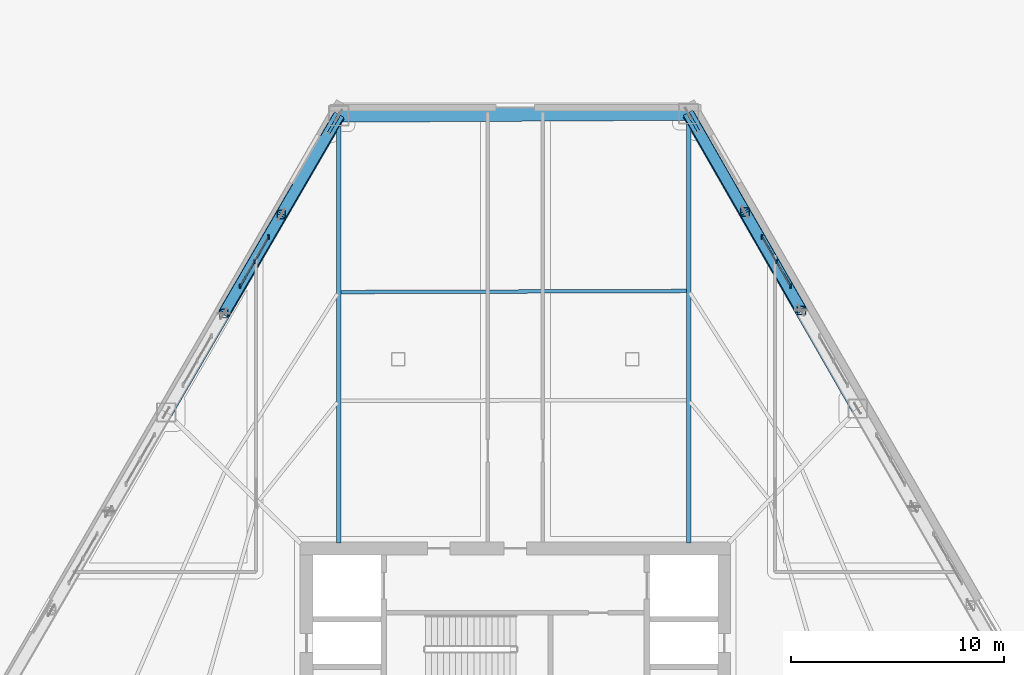
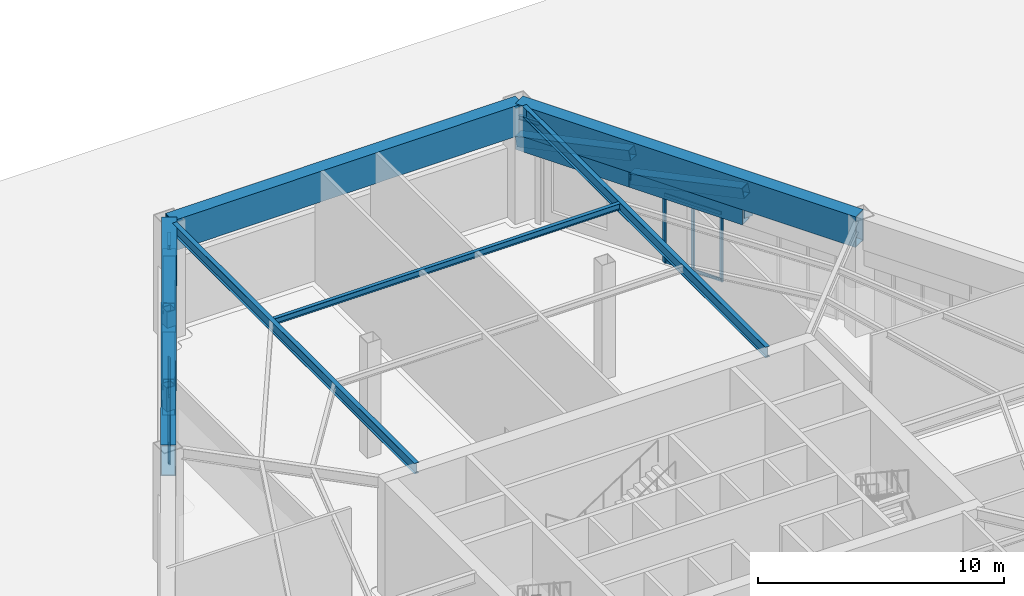
# One storey, part 8 of 20: 18 members, 12 beams, 2 elements without a shape of their own.
"""IFC4 building model written with IfcOpenShell, lengths in metres."""

from ifc_helpers import new_model, si_unit, direction, frame, origin, origin_2d, place, context, subcontext, project, spatial, rectangle, hollow_rectangle, i_section, extrude, material, layer, layer_set, material_profile, profile_set, type_object, element, aggregate, save


model = new_model("IFC4")

# Units and contexts
model_context = context("Model", 3, precision=1e-05, world=origin(), true_north=direction((0.0, 1.0)))
body_context = subcontext(model_context, "Body", "Model", "MODEL_VIEW")
ifc_project = project(units=[si_unit("LENGTHUNIT", "METRE"), si_unit("AREAUNIT", "SQUARE_METRE"), si_unit("VOLUMEUNIT", "CUBIC_METRE"), si_unit("PLANEANGLEUNIT", "RADIAN"), si_unit("MASSUNIT", "GRAM", prefix="KILO")], contexts=[model_context])

# Site, building, storey
site_placement = place(None, origin())
site = spatial("IfcSite", under=ifc_project, at=site_placement, CompositionType="ELEMENT")
building_placement = place(site_placement, origin())
building = spatial("IfcBuilding", under=site, at=building_placement, Name="Kavelnor Concourse Tower", CompositionType="ELEMENT")
storey_placement = place(building_placement, origin())
storey = spatial("IfcBuildingStorey", under=building, at=storey_placement, Name="L00", CompositionType="ELEMENT", Elevation=0.0)

# Beams
ifc_material_1 = material(Name="Steel Grade 350", Category="steel")
ifc_material_profile_1 = material_profile(ifc_material_1, i_section(OverallWidth=0.166015625, OverallDepth=0.306884765625, WebThickness=0.006591796875, FlangeThickness=0.01171875, at=origin_2d()), Name="310UB46")
ifc_profile_set_1 = profile_set([ifc_material_profile_1], Name="Steel Grade 350")
beam_type_1 = type_object("IfcBeamType", Name="BM-JOIST-310", PredefinedType="JOIST", material=ifc_profile_set_1)
beam_1_placement = place(storey_placement, frame((46.046875, 35.005859375, 5.58642578125), z_axis=(-0.999994639343, -0.003274337339, 0.0), x_axis=(0.003274337339, -0.999994639343, 0.0)))
element("IfcBeam", 1, at=beam_1_placement, inside=storey, type_object=beam_type_1, Name="L00 Composite Floor Joist 07-2", PredefinedType="JOIST", context=body_context, shape_type="SweptSolid", body=[
    extrude(i_section(OverallWidth=0.166015625, OverallDepth=0.306884765625, WebThickness=0.006591796875, FlangeThickness=0.01171875, at=origin_2d()), origin(), (0.0, 0.0, 1.0), 16.25439453125),
])
ifc_material_profile_2 = material_profile(ifc_material_1, i_section(OverallWidth=0.134033203125, OverallDepth=0.20703125, WebThickness=0.00634765625, FlangeThickness=0.009521484375, at=origin_2d()), Name="200UB29")
ifc_profile_set_2 = profile_set([ifc_material_profile_2], Name="Steel Grade 350")
beam_type_2 = type_object("IfcBeamType", Name="BM-LINTEL-200", PredefinedType="LINTEL", material=ifc_profile_set_2)
for number, where, z_axis, x_axis, name in (
    (2, (29.694580078125, 43.248779296875, 4.89990234375), (-0.502464100164, -0.864598073122, 0.0), (0.864598073122, -0.502464100164, 0.0), "L00 Pier Stiffener Header Lintel F0-A"),
    (3, (46.144775390625, 43.338623046875, 4.89990234375), (0.49757753053, -0.867419506993, 0.0), (0.867419506993, 0.49757753053, 0.0), "L00 Pier Stiffener Header Lintel F2-B"),
):
    element("IfcBeam", number, at=place(storey_placement, frame(where, z_axis=z_axis, x_axis=x_axis)), inside=storey, type_object=beam_type_2, Name=name, PredefinedType="LINTEL", context=body_context, shape_type="SweptSolid", body=[
        extrude(i_section(OverallWidth=0.134033203125, OverallDepth=0.20703125, WebThickness=0.00634765625, FlangeThickness=0.009521484375, at=origin_2d()), origin(), (0.0, 0.0, 1.0), 0.949951171875),
    ])
ifc_material_profile_3 = material_profile(ifc_material_1, i_section(OverallWidth=0.208984375, OverallDepth=0.528076171875, WebThickness=0.009521484375, FlangeThickness=0.01318359375, at=origin_2d()), Name="530UB82")
ifc_profile_set_3 = profile_set([ifc_material_profile_3], Name="Steel Grade 350")
beam_type_3 = type_object("IfcBeamType", Name="BM-PRIMARY-530", PredefinedType="BEAM", material=ifc_profile_set_3)
beam_2_placement = place(storey_placement, frame((46.144775390625, 23.159912109375, 5.47607421875), z_axis=(0.0, 1.0, 0.0), x_axis=(-1.0, 0.0, 0.0)))
element("IfcBeam", 4, at=beam_2_placement, inside=storey, type_object=beam_type_3, Name="L00 Primary Floor Girder MC-V0", PredefinedType="BEAM", context=body_context, shape_type="SweptSolid", body=[
    extrude(i_section(OverallWidth=0.208984375, OverallDepth=0.528076171875, WebThickness=0.009521484375, FlangeThickness=0.01318359375, at=origin_2d()), origin(), (0.0, 0.0, 1.0), 19.74365234375),
])
beam_3_placement = place(storey_placement, frame((29.694580078125, 23.159912109375, 5.47607421875), z_axis=(0.0, 1.0, 0.0), x_axis=(-1.0, 0.0, 0.0)))
element("IfcBeam", 5, at=beam_3_placement, inside=storey, type_object=beam_type_3, Name="L00 Primary Floor Girder MC-V1", PredefinedType="BEAM", context=body_context, shape_type="SweptSolid", body=[
    extrude(i_section(OverallWidth=0.208984375, OverallDepth=0.528076171875, WebThickness=0.009521484375, FlangeThickness=0.01318359375, at=origin_2d()), origin(), (0.0, 0.0, 1.0), 19.654052734375),
])
ifc_material_profile_4 = material_profile(ifc_material_1, hollow_rectangle(XDim=0.550048828125, YDim=0.75, WallThickness=0.034912109375, at=origin_2d()), Name="RHS 750x550x35")
ifc_profile_set_4 = profile_set([ifc_material_profile_4], Name="Steel Grade 350")
beam_type_4 = type_object("IfcBeamType", Name="BM-XFER-CHORD-750", PredefinedType="BEAM", material=ifc_profile_set_4)
beam_4_placement = place(storey_placement, frame((29.694580078125, 43.248779296875, 3.81494140625), z_axis=(-0.50235775979, -0.864659864443, 0.0), x_axis=(0.864659864443, -0.50235775979, 0.0)))
element("IfcBeam", 6, at=beam_4_placement, inside=storey, type_object=beam_type_4, Name="L00 Concourse Transfer Truss Bottom Chord F0-B0", PredefinedType="BEAM", context=body_context, shape_type="SweptSolid", body=[
    extrude(hollow_rectangle(XDim=0.550048828125, YDim=0.75, WallThickness=0.034912109375, at=origin_2d()), origin(), (0.0, 0.0, 1.0), 5.37939453125),
])
beam_5_placement = place(storey_placement, frame((26.9921875, 38.597412109375, 3.81494140625), z_axis=(-0.50233804696, -0.864671317077, 0.0), x_axis=(0.864671317077, -0.50233804696, 0.0)))
element("IfcBeam", 7, at=beam_5_placement, inside=storey, type_object=beam_type_4, Name="L00 Concourse Transfer Truss Bottom Chord F0-B1", PredefinedType="BEAM", context=body_context, shape_type="SweptSolid", body=[
    extrude(hollow_rectangle(XDim=0.550048828125, YDim=0.75, WallThickness=0.034912109375, at=origin_2d()), origin(), (0.0, 0.0, 1.0), 5.379638671875),
])
for number, where, z_axis, x_axis, name in (
    (8, (51.44677734375, 34.0966796875, 3.81494140625), (-0.497589197823, 0.867412814183, 0.0), (-0.867412814183, -0.497589197823, 0.0), "L00 Concourse Transfer Truss Bottom Chord F2-B4"),
    (9, (48.7958984375, 38.7177734375, 3.81494140625), (-0.497643457825, 0.867381685813, 0.0), (-0.867381685813, -0.497643457825, 0.0), "L00 Concourse Transfer Truss Bottom Chord F2-B5"),
):
    element("IfcBeam", number, at=place(storey_placement, frame(where, z_axis=z_axis, x_axis=x_axis)), inside=storey, type_object=beam_type_4, Name=name, PredefinedType="BEAM", context=body_context, shape_type="SweptSolid", body=[
        extrude(hollow_rectangle(XDim=0.550048828125, YDim=0.75, WallThickness=0.034912109375, at=origin_2d()), origin(), (0.0, 0.0, 1.0), 5.327392578125),
    ])
ifc_material_profile_5 = material_profile(ifc_material_1, hollow_rectangle(XDim=0.6201171875, YDim=1.52001953125, WallThickness=0.0400390625, at=origin_2d()), Name="RHS 1520x620x40")
ifc_profile_set_5 = profile_set([ifc_material_profile_5], Name="Steel Grade 350")
beam_type_5 = type_object("IfcBeamType", Name="BM-XFER-CHORD-850", PredefinedType="BEAM", material=ifc_profile_set_5)
beam_6_placement = place(storey_placement, frame((29.694580078125, 43.248779296875, 4.97998046875), z_axis=(-0.502355927834, -0.864660928786, 0.0), x_axis=(0.864660928786, -0.502355927834, 0.0)))
element("IfcBeam", 10, at=beam_6_placement, inside=storey, type_object=beam_type_5, Name="L00 Concourse Transfer Truss Top Chord Girder F0-S1", PredefinedType="BEAM", context=body_context, shape_type="SweptSolid", body=[
    extrude(hollow_rectangle(XDim=0.6201171875, YDim=1.52001953125, WallThickness=0.0400390625, at=origin_2d()), origin(), (0.0, 0.0, 1.0), 16.138916015625),
])
beam_7_placement = place(storey_placement, frame((46.144775390625, 43.338623046875, 4.97998046875), z_axis=(-0.999985086008, -0.00546147984, 0.0), x_axis=(0.00546147984, -0.999985086008, 0.0)))
element("IfcBeam", 11, at=beam_7_placement, inside=storey, type_object=beam_type_5, Name="L00 Concourse Transfer Truss Corner Tie C0", PredefinedType="BEAM", context=body_context, shape_type="SweptSolid", body=[
    extrude(hollow_rectangle(XDim=0.6201171875, YDim=1.52001953125, WallThickness=0.0400390625, at=origin_2d()), origin(), (0.0, 0.0, 1.0), 16.450439453125),
])
beam_8_placement = place(storey_placement, frame((54.097900390625, 29.475830078125, 4.97998046875), z_axis=(-0.49762537117, 0.867392062431, 0.0), x_axis=(-0.867392062431, -0.49762537117, 0.0)))
element("IfcBeam", 12, at=beam_8_placement, inside=storey, type_object=beam_type_5, Name="L00 Concourse Transfer Truss Top Chord Girder F2-S2", PredefinedType="BEAM", context=body_context, shape_type="SweptSolid", body=[
    extrude(hollow_rectangle(XDim=0.6201171875, YDim=1.52001953125, WallThickness=0.0400390625, at=origin_2d()), origin(), (0.0, 0.0, 1.0), 15.982177734375),
])

# Curtain wall, members
ifc_material_2 = material(Name="Anodised aluminium 6063-T6", Category="aluminium")
ifc_layer = layer(ifc_material_2, 0.199951171875, Name="Anodised aluminium 6063-T6")
ifc_layer_set = layer_set([ifc_layer], Name="Anodised aluminium 6063-T6")
curtain_wall_type = type_object("IfcCurtainWallType", Name="CW-CONCOURSE", PredefinedType="NOTDEFINED", material=ifc_layer_set)
curtain_wall_1_placement = place(storey_placement, origin())
curtain_wall_1 = element("IfcCurtainWall", 13, at=curtain_wall_1_placement, inside=storey, type_object=curtain_wall_type, Name="L00 Street Concourse Shopfront Curtain Wall 1", PredefinedType="NOTDEFINED")
ifc_material_profile_6 = material_profile(ifc_material_2, rectangle(XDim=0.06494140625, YDim=0.199951171875, at=origin_2d()), Name="AL-MULL 65x200")
ifc_profile_set_6 = profile_set([ifc_material_profile_6], Name="Anodised aluminium 6063-T6")
member_type_1 = type_object("IfcMemberType", Name="CW-CONCOURSE-MULL", PredefinedType="MULLION", material=ifc_profile_set_6)
member_1_placement = place(storey_placement, frame((26.39404296875, 37.537841796875, 0.0), z_axis=(0.0, 0.0, 1.0), x_axis=(1.0, 0.0, 0.0)))
member_1 = element("IfcMember", 14, at=member_1_placement, type_object=member_type_1, Name="L00 Street Concourse Shopfront Curtain Wall 1 Mullion 0", PredefinedType="MULLION", context=body_context, shape_type="SweptSolid", body=[
    extrude(rectangle(XDim=0.06494140625, YDim=0.199951171875, at=origin_2d()), origin(), (0.0, 0.0, 1.0), 3.419921875),
])
member_2_placement = place(storey_placement, frame((25.72705078125, 36.3828125, 0.0), z_axis=(0.0, 0.0, 1.0), x_axis=(1.0, 0.0, 0.0)))
member_2 = element("IfcMember", 15, at=member_2_placement, type_object=member_type_1, Name="L00 Street Concourse Shopfront Curtain Wall 1 Mullion 1", PredefinedType="MULLION", context=body_context, shape_type="SweptSolid", body=[
    extrude(rectangle(XDim=0.06494140625, YDim=0.199951171875, at=origin_2d()), origin(), (0.0, 0.0, 1.0), 3.419921875),
])
member_3_placement = place(storey_placement, frame((25.060302734375, 35.2275390625, 0.0), z_axis=(0.0, 0.0, 1.0), x_axis=(1.0, 0.0, 0.0)))
member_3 = element("IfcMember", 16, at=member_3_placement, type_object=member_type_1, Name="L00 Street Concourse Shopfront Curtain Wall 1 Mullion 2", PredefinedType="MULLION", context=body_context, shape_type="SweptSolid", body=[
    extrude(rectangle(XDim=0.06494140625, YDim=0.199951171875, at=origin_2d()), origin(), (0.0, 0.0, 1.0), 3.419921875),
])

curtain_wall_2_placement = place(storey_placement, origin())
curtain_wall_2 = element("IfcCurtainWall", 17, at=curtain_wall_2_placement, inside=storey, type_object=curtain_wall_type, Name="L00 Street Concourse Shopfront Curtain Wall 10", PredefinedType="NOTDEFINED")
member_4_placement = place(storey_placement, frame((50.939697265625, 35.2275390625, 0.0), z_axis=(0.0, 0.0, 1.0), x_axis=(1.0, 0.0, 0.0)))
member_4 = element("IfcMember", 18, at=member_4_placement, type_object=member_type_1, Name="L00 Street Concourse Shopfront Curtain Wall 10 Mullion 0", PredefinedType="MULLION", context=body_context, shape_type="SweptSolid", body=[
    extrude(rectangle(XDim=0.06494140625, YDim=0.199951171875, at=origin_2d()), origin(), (0.0, 0.0, 1.0), 3.419921875),
])
member_5_placement = place(storey_placement, frame((50.27294921875, 36.3828125, 0.0), z_axis=(0.0, 0.0, 1.0), x_axis=(1.0, 0.0, 0.0)))
member_5 = element("IfcMember", 19, at=member_5_placement, type_object=member_type_1, Name="L00 Street Concourse Shopfront Curtain Wall 10 Mullion 1", PredefinedType="MULLION", context=body_context, shape_type="SweptSolid", body=[
    extrude(rectangle(XDim=0.06494140625, YDim=0.199951171875, at=origin_2d()), origin(), (0.0, 0.0, 1.0), 3.419921875),
])
member_6_placement = place(storey_placement, frame((49.60595703125, 37.537841796875, 0.0), z_axis=(0.0, 0.0, 1.0), x_axis=(1.0, 0.0, 0.0)))
member_6 = element("IfcMember", 20, at=member_6_placement, type_object=member_type_1, Name="L00 Street Concourse Shopfront Curtain Wall 10 Mullion 2", PredefinedType="MULLION", context=body_context, shape_type="SweptSolid", body=[
    extrude(rectangle(XDim=0.06494140625, YDim=0.199951171875, at=origin_2d()), origin(), (0.0, 0.0, 1.0), 3.419921875),
])

# Member
ifc_material_profile_7 = material_profile(ifc_material_2, rectangle(XDim=0.06494140625, YDim=0.159912109375, at=origin_2d()), Name="AL-TRAN 65x160")
ifc_profile_set_7 = profile_set([ifc_material_profile_7], Name="Anodised aluminium 6063-T6")
member_type_2 = type_object("IfcMemberType", Name="CW-CONCOURSE-TRAN", PredefinedType="USERDEFINED", material=ifc_profile_set_7)
member_7_placement = place(storey_placement, frame((26.39404296875, 37.537841796875, 0.06005859375), z_axis=(-0.499968041424, -0.866043854291, 0.0), x_axis=(0.866043854291, -0.499968041424, 0.0)))
member_7 = element("IfcMember", 21, at=member_7_placement, type_object=member_type_2, Name="L00 Street Concourse Shopfront Curtain Wall 1 Transom 0-BOT", ObjectType="TRANSOM", PredefinedType="USERDEFINED", context=body_context, shape_type="SweptSolid", body=[
    extrude(rectangle(XDim=0.06494140625, YDim=0.159912109375, at=origin_2d()), origin(), (0.0, 0.0, 1.0), 2.667724609375),
])

member_8_placement = place(storey_placement, frame((26.39404296875, 37.537841796875, 3.360107421875), z_axis=(-0.499968041424, -0.866043854291, 0.0), x_axis=(0.866043854291, -0.499968041424, 0.0)))
member_8 = element("IfcMember", 22, at=member_8_placement, type_object=member_type_2, Name="L00 Street Concourse Shopfront Curtain Wall 1 Transom 0-TOP", ObjectType="TRANSOM", PredefinedType="USERDEFINED", context=body_context, shape_type="SweptSolid", body=[
    extrude(rectangle(XDim=0.06494140625, YDim=0.159912109375, at=origin_2d()), origin(), (0.0, 0.0, 1.0), 2.667724609375),
])

aggregate(curtain_wall_1, [member_1, member_2, member_3, member_7, member_8])

member_9_placement = place(storey_placement, frame((50.939697265625, 35.2275390625, 0.06005859375), z_axis=(-0.499968041424, 0.866043854291, 0.0), x_axis=(-0.866043854291, -0.499968041424, 0.0)))
member_9 = element("IfcMember", 23, at=member_9_placement, type_object=member_type_2, Name="L00 Street Concourse Shopfront Curtain Wall 10 Transom 0-BOT", ObjectType="TRANSOM", PredefinedType="USERDEFINED", context=body_context, shape_type="SweptSolid", body=[
    extrude(rectangle(XDim=0.06494140625, YDim=0.159912109375, at=origin_2d()), origin(), (0.0, 0.0, 1.0), 2.667724609375),
])

member_10_placement = place(storey_placement, frame((50.939697265625, 35.2275390625, 3.360107421875), z_axis=(-0.499968041424, 0.866043854291, 0.0), x_axis=(-0.866043854291, -0.499968041424, 0.0)))
member_10 = element("IfcMember", 24, at=member_10_placement, type_object=member_type_2, Name="L00 Street Concourse Shopfront Curtain Wall 10 Transom 0-TOP", ObjectType="TRANSOM", PredefinedType="USERDEFINED", context=body_context, shape_type="SweptSolid", body=[
    extrude(rectangle(XDim=0.06494140625, YDim=0.159912109375, at=origin_2d()), origin(), (0.0, 0.0, 1.0), 2.667724609375),
])

aggregate(curtain_wall_2, [member_4, member_5, member_6, member_9, member_10])

# Members
ifc_material_profile_8 = material_profile(ifc_material_1, hollow_rectangle(XDim=0.5, YDim=0.5, WallThickness=0.031982421875, at=origin_2d()), Name="SHS 500x500x32")
ifc_profile_set_8 = profile_set([ifc_material_profile_8], Name="Steel Grade 350")
member_type_3 = type_object("IfcMemberType", Name="MBR-XFER-DIAG-500", PredefinedType="BRACE", material=ifc_profile_set_8)
member_11_placement = place(storey_placement, frame((29.694580078125, 43.248779296875, 3.81494140625), z_axis=(-0.490975335479, -0.845068397465, 0.211666302367), x_axis=(0.864659864443, -0.50235775979, 0.0)))
element("IfcMember", 25, at=member_11_placement, inside=storey, type_object=member_type_3, Name="L00 Concourse Transfer Truss Diagonal F0-B0", PredefinedType="BRACE", context=body_context, shape_type="SweptSolid", body=[
    extrude(hollow_rectangle(XDim=0.5, YDim=0.5, WallThickness=0.031982421875, at=origin_2d()), origin(), (0.0, 0.0, 1.0), 5.504150390625),
])
member_12_placement = place(storey_placement, frame((26.9921875, 38.597412109375, 3.81494140625), z_axis=(-0.490956932429, -0.8450810763, 0.211658368556), x_axis=(0.864671317077, -0.50233804696, 0.0)))
element("IfcMember", 26, at=member_12_placement, inside=storey, type_object=member_type_3, Name="L00 Concourse Transfer Truss Diagonal F0-B1", PredefinedType="BRACE", context=body_context, shape_type="SweptSolid", body=[
    extrude(hollow_rectangle(XDim=0.5, YDim=0.5, WallThickness=0.031982421875, at=origin_2d()), origin(), (0.0, 0.0, 1.0), 5.50439453125),
])
for number, where, z_axis, x_axis, name in (
    (27, (48.7958984375, 38.7177734375, 3.81494140625), (0.486101361115, -0.847386863436, 0.213637474235), (0.867412814183, 0.497589197823, 0.0), "L00 Concourse Transfer Truss Diagonal F2-B4"),
    (28, (46.144775390625, 43.338623046875, 3.81494140625), (0.486153992401, -0.847355798341, 0.213640929343), (0.867381685813, 0.497643457825, 0.0), "L00 Concourse Transfer Truss Diagonal F2-B5"),
):
    element("IfcMember", number, at=place(storey_placement, frame(where, z_axis=z_axis, x_axis=x_axis)), inside=storey, type_object=member_type_3, Name=name, PredefinedType="BRACE", context=body_context, shape_type="SweptSolid", body=[
        extrude(hollow_rectangle(XDim=0.5, YDim=0.5, WallThickness=0.031982421875, at=origin_2d()), origin(), (0.0, 0.0, 1.0), 5.453369140625),
    ])
ifc_material_profile_9 = material_profile(ifc_material_1, hollow_rectangle(XDim=0.419921875, YDim=0.419921875, WallThickness=0.028076171875, at=origin_2d()), Name="SHS 420x420x28")
ifc_profile_set_9 = profile_set([ifc_material_profile_9], Name="Steel Grade 350")
member_type_4 = type_object("IfcMemberType", Name="MBR-XFER-POST-420", PredefinedType="CHORD", material=ifc_profile_set_9)
for number, where, z_axis, x_axis, name in (
    (29, (26.9921875, 38.597412109375, 3.81494140625), (0.0, 0.0, 1.0), (1.0, 0.0, 0.0), "L00 Concourse Transfer Truss Web Post F0-B1"),
    (30, (24.289794921875, 33.94580078125, 3.81494140625), (0.0, 0.0, 1.0), (1.0, 0.0, 0.0), "L00 Concourse Transfer Truss Web Post F0-B2"),
    (31, (51.44677734375, 34.0966796875, 3.81494140625), (0.0, 0.0, 1.0), (1.0, 0.0, 0.0), "L00 Concourse Transfer Truss Web Post F2-B4"),
    (32, (48.7958984375, 38.7177734375, 3.81494140625), (0.0, 0.0, 1.0), (1.0, 0.0, 0.0), "L00 Concourse Transfer Truss Web Post F2-B5"),
):
    element("IfcMember", number, at=place(storey_placement, frame(where, z_axis=z_axis, x_axis=x_axis)), inside=storey, type_object=member_type_4, Name=name, PredefinedType="CHORD", context=body_context, shape_type="SweptSolid", body=[
        extrude(hollow_rectangle(XDim=0.419921875, YDim=0.419921875, WallThickness=0.028076171875, at=origin_2d()), origin(), (0.0, 0.0, 1.0), 1.1650390625),
    ])

save(model, "model.ifc")
